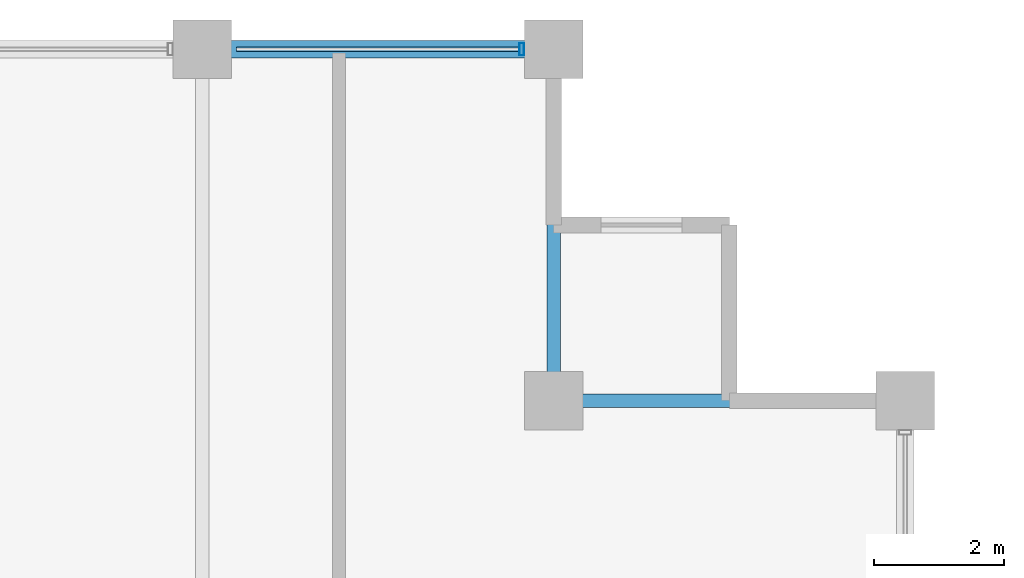
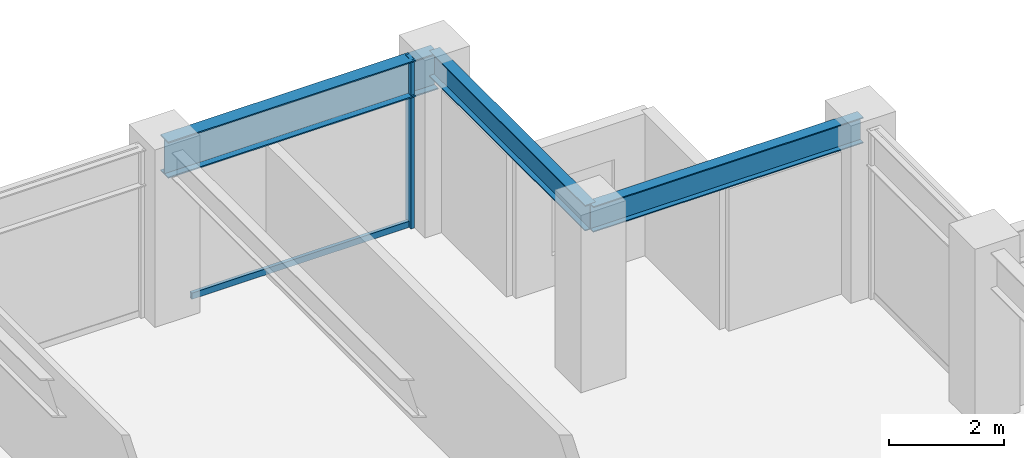
# One storey, part 23 of 32: 3 beams, 2 members, 1 element without a shape of its own.
"""IFC4 building model written with IfcOpenShell, lengths in metres."""

from ifc_helpers import new_model, si_unit, direction, frame, origin, origin_2d, place, context, subcontext, project, spatial, hollow_rectangle, i_section, extrude, material, layer, layer_set, material_profile, profile_set, type_object, element, aggregate, save


model = new_model("IFC4")

# Units and contexts
model_context = context("Model", 3, precision=1e-05, world=origin(), true_north=direction((0.0, 1.0)))
body_context = subcontext(model_context, "Body", "Model", "MODEL_VIEW")
ifc_project = project(units=[si_unit("LENGTHUNIT", "METRE"), si_unit("AREAUNIT", "SQUARE_METRE"), si_unit("VOLUMEUNIT", "CUBIC_METRE"), si_unit("PLANEANGLEUNIT", "RADIAN"), si_unit("MASSUNIT", "GRAM", prefix="KILO")], contexts=[model_context])

# Site, building, storey
site_placement = place(None, origin())
site = spatial("IfcSite", under=ifc_project, at=site_placement, CompositionType="ELEMENT")
building_placement = place(site_placement, origin())
building = spatial("IfcBuilding", under=site, at=building_placement, Name="Surkhivell Harbour Commons", CompositionType="ELEMENT")
storey_placement = place(building_placement, frame((0.0, 0.0, 189.75)))
storey = spatial("IfcBuildingStorey", under=building, at=storey_placement, Name="L49", CompositionType="ELEMENT", Elevation=189.75)

# Beams
ifc_material_1 = material(Name="Steel S355", Category="steel")
ifc_material_profile_1 = material_profile(ifc_material_1, i_section(OverallWidth=0.2119140625, OverallDepth=0.5439453125, WebThickness=0.0126953125, FlangeThickness=0.021240234375, at=origin_2d()), Name="UB533x210x122")
ifc_profile_set_1 = profile_set([ifc_material_profile_1], Name="Steel S355")
beam_type_1 = type_object("IfcBeamType", Name="BM-GRD-533A", PredefinedType="BEAM", material=ifc_profile_set_1)
beam_1_placement = place(storey_placement, frame((16.199951171875, 20.5, 3.298095703125), z_axis=(0.0, 1.0, 0.0), x_axis=(-1.0, 0.0, 0.0)))
element("IfcBeam", 1, at=beam_1_placement, inside=storey, type_object=beam_type_1, Name="L49 Floor Girder (16.2,20.5)", PredefinedType="BEAM", context=body_context, shape_type="SweptSolid", body=[
    extrude(i_section(OverallWidth=0.2119140625, OverallDepth=0.5439453125, WebThickness=0.0126953125, FlangeThickness=0.021240234375, at=origin_2d()), origin(), (0.0, 0.0, 1.0), 5.39990234375),
])
beam_2_placement = place(storey_placement, frame((16.199951171875, 20.5, 3.298095703125), z_axis=(1.0, 0.0, 0.0), x_axis=(0.0, 1.0, 0.0)))
element("IfcBeam", 2, at=beam_2_placement, inside=storey, type_object=beam_type_1, Name="L49 Floor Girder (16.2,20.5)", PredefinedType="BEAM", context=body_context, shape_type="SweptSolid", body=[
    extrude(i_section(OverallWidth=0.2119140625, OverallDepth=0.5439453125, WebThickness=0.0126953125, FlangeThickness=0.021240234375, at=origin_2d()), origin(), (0.0, 0.0, 1.0), 5.400146484375),
])
ifc_material_profile_2 = material_profile(ifc_material_1, i_section(OverallWidth=0.26806640625, OverallDepth=0.77001953125, WebThickness=0.015625, FlangeThickness=0.025390625, at=origin_2d()), Name="UB762x267x197")
ifc_profile_set_2 = profile_set([ifc_material_profile_2], Name="Steel S355")
beam_type_2 = type_object("IfcBeamType", Name="BM-SPN-762", PredefinedType="SPANDREL", material=ifc_profile_set_2)
beam_3_placement = place(storey_placement, frame((10.800048828125, 25.89990234375, 3.18505859375), z_axis=(1.0, 0.0, 0.0), x_axis=(0.0, 1.0, 0.0)))
element("IfcBeam", 3, at=beam_3_placement, inside=storey, type_object=beam_type_2, Name="L49 Tube Spandrel (10.8,25.9)", PredefinedType="SPANDREL", context=body_context, shape_type="SweptSolid", body=[
    extrude(i_section(OverallWidth=0.26806640625, OverallDepth=0.77001953125, WebThickness=0.015625, FlangeThickness=0.025390625, at=origin_2d()), origin(), (0.0, 0.0, 1.0), 5.39990234375),
])

# Curtain wall, members
ifc_material_2 = material(Name="Anodised pale-metal aluminium and insulated glazing", Category="aluminium")
ifc_layer = layer(ifc_material_2, 0.18994140625)
ifc_layer_set = layer_set([ifc_layer], Name="Anodised pale-metal aluminium and insulated glazing")
curtain_wall_type = type_object("IfcCurtainWallType", Name="CW-SYS-Z3", PredefinedType="NOTDEFINED", material=ifc_layer_set)
curtain_wall_placement = place(storey_placement, origin())
curtain_wall = element("IfcCurtainWall", 4, at=curtain_wall_placement, inside=storey, type_object=curtain_wall_type, Name="L49 Curtain Wall CW-L49-E07S1", PredefinedType="NOTDEFINED")
ifc_material_3 = material(Name="Anodised pale-metal aluminium alloy 6063-T6", Category="aluminium")
ifc_material_profile_3 = material_profile(ifc_material_3, hollow_rectangle(XDim=0.074951171875, YDim=0.18994140625, WallThickness=0.00390625, at=origin_2d()), Name="ALU-MULL-75x190")
ifc_profile_set_3 = profile_set([ifc_material_profile_3], Name="Anodised pale-metal aluminium alloy 6063-T6")
member_type_1 = type_object("IfcMemberType", Name="CWM-190", PredefinedType="MULLION", material=ifc_profile_set_3)
member_1_placement = place(storey_placement, frame((15.71044921875, 25.89990234375, 0.0), z_axis=(0.0, 0.0, 1.0), x_axis=(-1.0, 0.0, 0.0)))
member_1 = element("IfcMember", 5, at=member_1_placement, type_object=member_type_1, Name="CW-Z3 mullion 1", PredefinedType="MULLION", context=body_context, shape_type="SweptSolid", body=[
    extrude(hollow_rectangle(XDim=0.074951171875, YDim=0.18994140625, WallThickness=0.00390625, at=origin_2d()), origin(), (0.0, 0.0, 1.0), 3.570068359375),
])
ifc_material_4 = material(Name="Champagne anodised aluminium alloy 6063-T6", Category="aluminium")
ifc_material_profile_4 = material_profile(ifc_material_4, hollow_rectangle(XDim=0.070068359375, YDim=0.1298828125, WallThickness=0.00341796875, at=origin_2d()), Name="ALU-TRAN-70x130")
ifc_profile_set_4 = profile_set([ifc_material_profile_4], Name="Champagne anodised aluminium alloy 6063-T6")
member_type_2 = type_object("IfcMemberType", Name="CWT-130", PredefinedType="USERDEFINED", material=ifc_profile_set_4)
member_2_placement = place(storey_placement, frame((15.673095703125, 25.89990234375, 0.06494140625), z_axis=(-1.0, 0.0, 0.0), x_axis=(0.0, -1.0, 0.0)))
member_2 = element("IfcMember", 6, at=member_2_placement, type_object=member_type_2, Name="CW-Z3 transom 1.1", ObjectType="TRANSOM", PredefinedType="USERDEFINED", context=body_context, shape_type="SweptSolid", body=[
    extrude(hollow_rectangle(XDim=0.070068359375, YDim=0.1298828125, WallThickness=0.00341796875, at=origin_2d()), origin(), (0.0, 0.0, 1.0), 4.34619140625),
])
aggregate(curtain_wall, [member_1, member_2])

save(model, "model.ifc")
